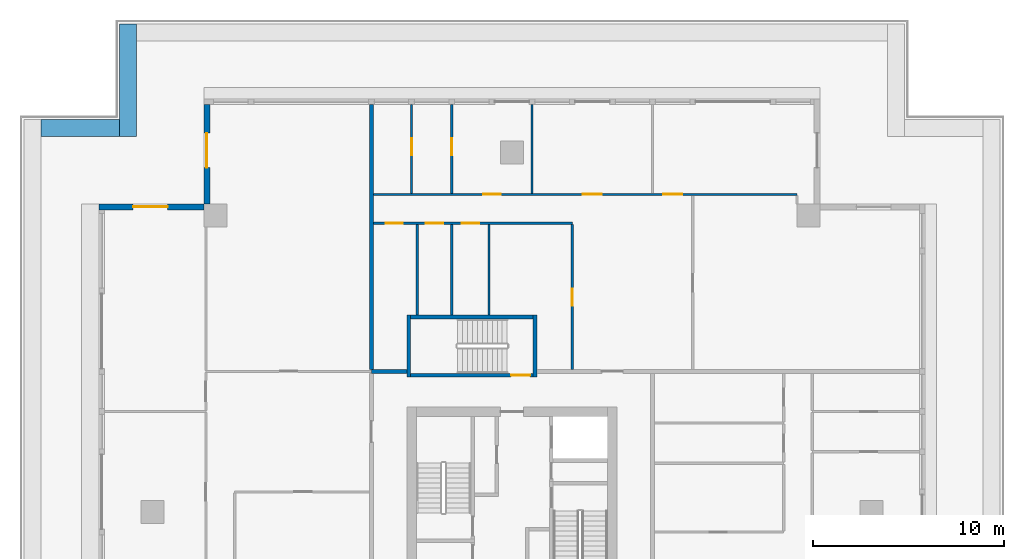
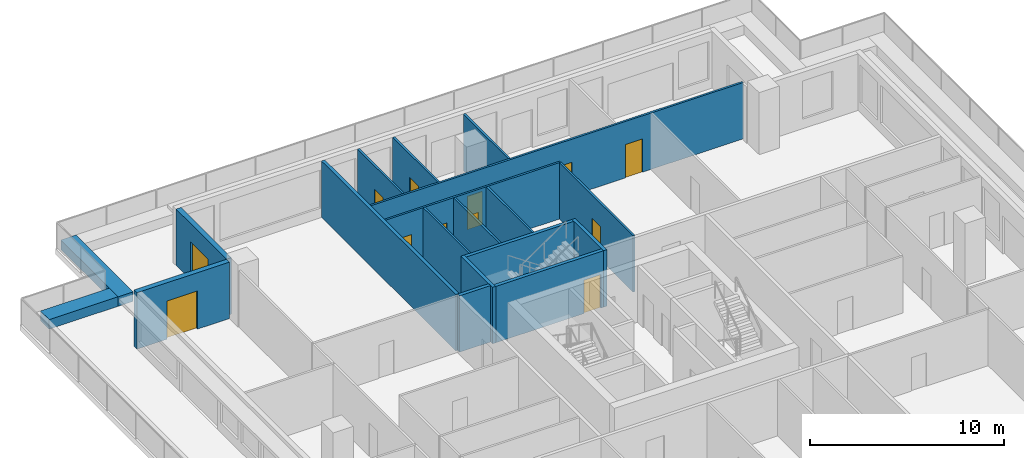
# One storey, part 5 of 11: 19 walls, 12 doors, 12 openings.
"""IFC4 building model written with IfcOpenShell, lengths in metres."""

from ifc_helpers import new_model, si_unit, direction, frame, frame_2d, origin, place, context, subcontext, project, spatial, rectangle, extrude, material, layer, layer_set, type_object, element, fill, save


model = new_model("IFC4")

# Units and contexts
model_context = context("Model", 3, precision=1e-05, world=origin(), true_north=direction((0.0, 1.0)))
body_context = subcontext(model_context, "Body", "Model", "MODEL_VIEW")
ifc_project = project(units=[si_unit("LENGTHUNIT", "METRE"), si_unit("AREAUNIT", "SQUARE_METRE"), si_unit("VOLUMEUNIT", "CUBIC_METRE"), si_unit("PLANEANGLEUNIT", "RADIAN"), si_unit("MASSUNIT", "GRAM", prefix="KILO")], contexts=[model_context])

# Site, building, storey
site_placement = place(None, origin())
site = spatial("IfcSite", under=ifc_project, at=site_placement, CompositionType="ELEMENT")
building_placement = place(site_placement, origin())
building = spatial("IfcBuilding", under=site, at=building_placement, Name="Khepri Terraces", CompositionType="ELEMENT")
storey_placement = place(building_placement, frame((0.0, 0.0, 292.800048828125)))
storey = spatial("IfcBuildingStorey", under=building, at=storey_placement, Name="L70", CompositionType="ELEMENT", Elevation=292.800048828125)

# Walls
ifc_material_1 = material(Name="Concrete C40/50", Category="concrete")
ifc_layer_1 = layer(ifc_material_1, 0.199951171875, Name="Concrete C40/50", Category="concrete")
ifc_layer_set_1 = layer_set([ifc_layer_1], Name="Concrete C40/50")
wall_type_1 = type_object("IfcWallType", Name="Core wall 200 C40/50", PredefinedType="SHEAR", material=ifc_layer_set_1)
for number, where, z_axis, x_axis, name in (
    (1, (-5.39990234375, 7.050048828125, 0.0), (0.0, 0.0, 1.0), (0.0, 1.0, 0.0), "Core wall S3W L70"),
    (2, (1.199951171875, 7.050048828125, 0.0), (0.0, 0.0, 1.0), (0.0, 1.0, 0.0), "Core wall S3E L70"),
):
    element("IfcWall", number, at=place(storey_placement, frame(where, z_axis=z_axis, x_axis=x_axis)), inside=storey, type_object=wall_type_1, Name=name, PredefinedType="SHEAR", context=body_context, shape_type="SweptSolid", body=[
        extrude(rectangle(XDim=3.25, YDim=0.199951171875, at=frame_2d((1.625, 0.0))), origin(), (0.0, 0.0, 1.0), 3.550048828125),
    ])

# Wall, opening, door
wall_1_placement = place(storey_placement, frame((-5.300048828125, 7.14990234375, 0.0), z_axis=(0.0, 0.0, 1.0), x_axis=(1.0, 0.0, 0.0)))
wall_1 = element("IfcWall", 3, at=wall_1_placement, inside=storey, type_object=wall_type_1, Name="Core wall S3S L70", PredefinedType="SHEAR", context=body_context, shape_type="SweptSolid", body=[
    extrude(rectangle(XDim=6.400146484375, YDim=0.199951171875, at=frame_2d((3.2001953125, 0.0))), origin(), (0.0, 0.0, 1.0), 3.550048828125),
])
opening_1_placement = place(wall_1_placement, frame((5.25, 0.0, 0.0)))
opening_1 = element("IfcOpeningElement", 4, at=opening_1_placement, cuts=wall_1, Name="Opening L70-C07", PredefinedType="OPENING", context=body_context, shape_type="SweptSolid", body=[
    extrude(rectangle(XDim=1.0, YDim=2.10009765625, at=frame_2d((0.5, 1.050048828125))), frame((0.0, 0.10986328125, 0.0), z_axis=(0.0, -1.0, 0.0), x_axis=(1.0, 0.0, 0.0)), (0.0, 0.0, 1.0), 0.219970703125),
])
ifc_material_2 = material(Name="Painted steel", Category="steel")
door_type_1 = type_object("IfcDoorType", Name="DR-CORE-STAIR-1000", OperationType="NOTDEFINED", PredefinedType="DOOR", material=ifc_material_2)
door_1_placement = place(opening_1_placement, origin())
door_1 = element("IfcDoor", 5, at=door_1_placement, inside=storey, type_object=door_type_1, Name="Stair door L70-C07", OperationType="SINGLE_SWING_RIGHT", OverallHeight=2.10009765625, OverallWidth=1.0, PredefinedType="DOOR", context=body_context, shape_type="SweptSolid", body=[
    extrude(rectangle(XDim=1.0, YDim=2.10009765625, at=frame_2d((0.5, 1.050048828125))), frame((0.0, 0.02490234375, 0.0), z_axis=(0.0, -1.0, 0.0), x_axis=(1.0, 0.0, 0.0)), (0.0, 0.0, 1.0), 0.050048828125),
])
fill(opening_1, door_1)

# Walls
wall_2_placement = place(storey_placement, frame((-5.300048828125, 10.199951171875, 0.0), z_axis=(0.0, 0.0, 1.0), x_axis=(1.0, 0.0, 0.0)))
element("IfcWall", 6, at=wall_2_placement, inside=storey, type_object=wall_type_1, Name="Core wall S3N L70", PredefinedType="SHEAR", context=body_context, shape_type="SweptSolid", body=[
    extrude(rectangle(XDim=6.400146484375, YDim=0.199951171875, at=frame_2d((3.2001953125, 0.0))), origin(), (0.0, 0.0, 1.0), 3.550048828125),
])
ifc_material_3 = material(Name="Fire-rated gypsum plasterboard partition, mineral wool")
ifc_layer_2 = layer(ifc_material_3, 0.199951171875, Name="Fire-rated gypsum plasterboard partition, mineral wool")
ifc_layer_set_2 = layer_set([ifc_layer_2], Name="Fire-rated gypsum plasterboard partition, mineral wool")
wall_type_2 = type_object("IfcWallType", Name="WL-CORR-200", PredefinedType="PARTITIONING", material=ifc_layer_set_2)
wall_3_placement = place(storey_placement, frame((-7.35009765625, 7.35009765625, 0.0), z_axis=(0.0, 0.0, 1.0), x_axis=(1.0, 0.0, 0.0)))
element("IfcWall", 7, at=wall_3_placement, inside=storey, type_object=wall_type_2, Name="Partition P-044 L70", PredefinedType="PARTITIONING", context=body_context, shape_type="SweptSolid", body=[
    extrude(rectangle(XDim=1.85009765625, YDim=0.199951171875, at=frame_2d((0.925048828125, 0.0))), origin(), (0.0, 0.0, 1.0), 3.550048828125),
])
wall_4_placement = place(storey_placement, frame((-7.35009765625, 7.449951171875, 0.0), z_axis=(0.0, 0.0, 1.0), x_axis=(0.0, 1.0, 0.0)))
element("IfcWall", 8, at=wall_4_placement, inside=storey, type_object=wall_type_2, Name="Partition P-047 L70", PredefinedType="PARTITIONING", context=body_context, shape_type="SweptSolid", body=[
    extrude(rectangle(XDim=13.85009765625, YDim=0.199951171875, at=frame_2d((6.925048828125, 0.0))), origin(), (0.0, 0.0, 1.0), 3.550048828125),
])

# Wall, opening, door
ifc_material_4 = material(Name="Precast concrete C50/60 warm stone", Category="masonry")
ifc_layer_3 = layer(ifc_material_4, 0.300048828125, Name="Precast concrete C50/60 warm stone", Category="masonry")
ifc_layer_set_3 = layer_set([ifc_layer_3], Name="Precast concrete C50/60 warm stone")
wall_type_3 = type_object("IfcWallType", Name="WL-EXT-PRECAST-300", PredefinedType="STANDARD", material=ifc_layer_set_3)
wall_5_placement = place(storey_placement, frame((-15.949951171875, 21.300048828125, 0.0), z_axis=(0.0, 0.0, 1.0), x_axis=(0.0, -1.0, 0.0)))
wall_5 = element("IfcWall", 9, at=wall_5_placement, inside=storey, type_object=wall_type_3, Name="External wall L70 W", PredefinedType="STANDARD", context=body_context, shape_type="SweptSolid", body=[
    extrude(rectangle(XDim=5.199951171875, YDim=0.300048828125, at=frame_2d((2.60009765625, 0.0))), origin(), (0.0, 0.0, 1.0), 3.550048828125),
])
opening_2_placement = place(wall_5_placement, frame((1.5, 0.0, 0.0)))
opening_2 = element("IfcOpeningElement", 10, at=opening_2_placement, cuts=wall_5, Name="Opening ED-L70-07", PredefinedType="OPENING", context=body_context, shape_type="SweptSolid", body=[
    extrude(rectangle(XDim=1.800048828125, YDim=2.39990234375, at=frame_2d((0.89990234375, 1.199951171875))), frame((0.0, 0.16015625, 0.0), z_axis=(0.0, -1.0, 0.0), x_axis=(1.0, 0.0, 0.0)), (0.0, 0.0, 1.0), 0.320068359375),
])
ifc_material_5 = material(Name="Anodised aluminium bronze glazed door", Category="aluminium")
door_type_2 = type_object("IfcDoorType", Name="DR-BAL-SLIDE-1800x2400", OperationType="NOTDEFINED", PredefinedType="DOOR", material=ifc_material_5)
door_2_placement = place(opening_2_placement, origin())
door_2 = element("IfcDoor", 11, at=door_2_placement, inside=storey, type_object=door_type_2, Name="Balcony door L70 W", OperationType="SLIDING_TO_RIGHT", OverallHeight=2.39990234375, OverallWidth=1.800048828125, PredefinedType="DOOR", context=body_context, shape_type="SweptSolid", body=[
    extrude(rectangle(XDim=1.800048828125, YDim=2.39990234375, at=frame_2d((0.89990234375, 1.199951171875))), frame((0.0, 0.02490234375, 0.0), z_axis=(0.0, -1.0, 0.0), x_axis=(1.0, 0.0, 0.0)), (0.0, 0.0, 1.0), 0.050048828125),
])
fill(opening_2, door_2)

wall_6_placement = place(storey_placement, frame((-16.10009765625, 15.949951171875, 0.0), z_axis=(0.0, 0.0, 1.0), x_axis=(-1.0, 0.0, 0.0)))
wall_6 = element("IfcWall", 12, at=wall_6_placement, inside=storey, type_object=wall_type_3, Name="External wall L70 N", PredefinedType="STANDARD", context=body_context, shape_type="SweptSolid", body=[
    extrude(rectangle(XDim=5.5, YDim=0.300048828125, at=frame_2d((2.75, 0.0))), origin(), (0.0, 0.0, 1.0), 3.550048828125),
])
opening_3_placement = place(wall_6_placement, frame((1.89990234375, 0.0, 0.0)))
opening_3 = element("IfcOpeningElement", 13, at=opening_3_placement, cuts=wall_6, Name="Opening ED-L70-08", PredefinedType="OPENING", context=body_context, shape_type="SweptSolid", body=[
    extrude(rectangle(XDim=1.800048828125, YDim=2.39990234375, at=frame_2d((0.89990234375, 1.199951171875))), frame((0.0, 0.16015625, 0.0), z_axis=(0.0, -1.0, 0.0), x_axis=(1.0, 0.0, 0.0)), (0.0, 0.0, 1.0), 0.320068359375),
])
door_3_placement = place(opening_3_placement, origin())
door_3 = element("IfcDoor", 14, at=door_3_placement, inside=storey, type_object=door_type_2, Name="Balcony door L70 N", OperationType="SLIDING_TO_LEFT", OverallHeight=2.39990234375, OverallWidth=1.800048828125, PredefinedType="DOOR", context=body_context, shape_type="SweptSolid", body=[
    extrude(rectangle(XDim=1.800048828125, YDim=2.39990234375, at=frame_2d((0.89990234375, 1.199951171875))), frame((0.0, 0.02490234375, 0.0), z_axis=(0.0, -1.0, 0.0), x_axis=(1.0, 0.0, 0.0)), (0.0, 0.0, 1.0), 0.050048828125),
])
fill(opening_3, door_3)

ifc_material_6 = material(Name="Gypsum plasterboard partition")
ifc_layer_4 = layer(ifc_material_6, 0.1201171875, Name="Gypsum plasterboard partition")
ifc_layer_set_4 = layer_set([ifc_layer_4], Name="Gypsum plasterboard partition")
wall_type_4 = type_object("IfcWallType", Name="WL-PART-120", PredefinedType="PARTITIONING", material=ifc_layer_set_4)
wall_7_placement = place(storey_placement, frame((3.14990234375, 7.449951171875, 0.0), z_axis=(0.0, 0.0, 1.0), x_axis=(0.0, 1.0, 0.0)))
wall_7 = element("IfcWall", 15, at=wall_7_placement, inside=storey, type_object=wall_type_4, Name="Partition P-048 L70", PredefinedType="PARTITIONING", context=body_context, shape_type="SweptSolid", body=[
    extrude(rectangle(XDim=7.590087890625, YDim=0.1201171875, at=frame_2d((3.794921875, 0.0))), origin(), (0.0, 0.0, 1.0), 3.550048828125),
])
opening_4_placement = place(wall_7_placement, frame((3.324951171875, 0.0, 0.0)))
opening_4 = element("IfcOpeningElement", 16, at=opening_4_placement, cuts=wall_7, Name="Opening D3", PredefinedType="OPENING", context=body_context, shape_type="SweptSolid", body=[
    extrude(rectangle(XDim=0.89990234375, YDim=2.10009765625, at=frame_2d((0.449951171875, 1.050048828125))), frame((0.0, 0.070068359375, 0.0), z_axis=(0.0, -1.0, 0.0), x_axis=(1.0, 0.0, 0.0)), (0.0, 0.0, 1.0), 0.14013671875),
])
ifc_material_7 = material(Name="Timber door leaf", Category="wood")
door_type_3 = type_object("IfcDoorType", Name="DR-INT-900", OperationType="NOTDEFINED", PredefinedType="DOOR", material=ifc_material_7)
door_4_placement = place(opening_4_placement, origin())
door_4 = element("IfcDoor", 17, at=door_4_placement, inside=storey, type_object=door_type_3, Name="Door Kitchen", OperationType="SINGLE_SWING_LEFT", OverallHeight=2.10009765625, OverallWidth=0.89990234375, PredefinedType="DOOR", context=body_context, shape_type="SweptSolid", body=[
    extrude(rectangle(XDim=0.89990234375, YDim=2.10009765625, at=frame_2d((0.449951171875, 1.050048828125))), frame((0.0, 0.02490234375, 0.0), z_axis=(0.0, -1.0, 0.0), x_axis=(1.0, 0.0, 0.0)), (0.0, 0.0, 1.0), 0.050048828125),
])
fill(opening_4, door_4)

# Walls
for number, where, z_axis, x_axis, name in (
    (18, (-4.949951171875, 10.300048828125, 0.0), (0.0, 0.0, 1.0), (0.0, 1.0, 0.0), "Partition P-050 L70"),
    (19, (-3.14990234375, 10.300048828125, 0.0), (0.0, 0.0, 1.0), (0.0, 1.0, 0.0), "Partition P-051 L70"),
    (20, (-1.199951171875, 10.300048828125, 0.0), (0.0, 0.0, 1.0), (0.0, 1.0, 0.0), "Partition P-052 L70"),
):
    element("IfcWall", number, at=place(storey_placement, frame(where, z_axis=z_axis, x_axis=x_axis)), inside=storey, type_object=wall_type_4, Name=name, PredefinedType="PARTITIONING", context=body_context, shape_type="SweptSolid", body=[
        extrude(rectangle(XDim=4.739990234375, YDim=0.1201171875, at=frame_2d((2.3701171875, 0.0))), origin(), (0.0, 0.0, 1.0), 3.550048828125),
    ])

# Wall, openings, doors
wall_8_placement = place(storey_placement, frame((-7.25, 15.10009765625, 0.0), z_axis=(0.0, 0.0, 1.0), x_axis=(1.0, 0.0, 0.0)))
wall_8 = element("IfcWall", 21, at=wall_8_placement, inside=storey, type_object=wall_type_4, Name="Partition P-053 L70", PredefinedType="PARTITIONING", context=body_context, shape_type="SweptSolid", body=[
    extrude(rectangle(XDim=10.39990234375, YDim=0.1201171875, at=frame_2d((5.199951171875, 0.0))), origin(), (0.0, 0.0, 1.0), 3.550048828125),
])
opening_5_placement = place(wall_8_placement, frame((4.625, 0.0, 0.0)))
opening_5 = element("IfcOpeningElement", 22, at=opening_5_placement, cuts=wall_8, Name="Opening D3", PredefinedType="OPENING", context=body_context, shape_type="SweptSolid", body=[
    extrude(rectangle(XDim=0.89990234375, YDim=2.10009765625, at=frame_2d((0.449951171875, 1.050048828125))), frame((0.0, 0.070068359375, 0.0), z_axis=(0.0, -1.0, 0.0), x_axis=(1.0, 0.0, 0.0)), (0.0, 0.0, 1.0), 0.14013671875),
])
opening_6_placement = place(wall_8_placement, frame((2.75, 0.0, 0.0)))
opening_6 = element("IfcOpeningElement", 23, at=opening_6_placement, cuts=wall_8, Name="Opening D4", PredefinedType="OPENING", context=body_context, shape_type="SweptSolid", body=[
    extrude(rectangle(XDim=0.89990234375, YDim=2.10009765625, at=frame_2d((0.449951171875, 1.050048828125))), frame((0.0, 0.070068359375, 0.0), z_axis=(0.0, -1.0, 0.0), x_axis=(1.0, 0.0, 0.0)), (0.0, 0.0, 1.0), 0.14013671875),
])
opening_7_placement = place(wall_8_placement, frame((0.64990234375, 0.0, 0.0)))
opening_7 = element("IfcOpeningElement", 24, at=opening_7_placement, cuts=wall_8, Name="Opening D4", PredefinedType="OPENING", context=body_context, shape_type="SweptSolid", body=[
    extrude(rectangle(XDim=0.89990234375, YDim=2.10009765625, at=frame_2d((0.449951171875, 1.050048828125))), frame((0.0, 0.070068359375, 0.0), z_axis=(0.0, -1.0, 0.0), x_axis=(1.0, 0.0, 0.0)), (0.0, 0.0, 1.0), 0.14013671875),
])
door_5_placement = place(opening_5_placement, frame((0.89990234375, 0.0, 0.0), z_axis=(0.0, 0.0, 1.0), x_axis=(-1.0, 0.0, 0.0)))
door_5 = element("IfcDoor", 25, at=door_5_placement, inside=storey, type_object=door_type_3, Name="Door Utility Room", OperationType="SINGLE_SWING_RIGHT", OverallHeight=2.10009765625, OverallWidth=0.89990234375, PredefinedType="DOOR", context=body_context, shape_type="SweptSolid", body=[
    extrude(rectangle(XDim=0.89990234375, YDim=2.10009765625, at=frame_2d((0.449951171875, 1.050048828125))), frame((0.0, 0.02490234375, 0.0), z_axis=(0.0, -1.0, 0.0), x_axis=(1.0, 0.0, 0.0)), (0.0, 0.0, 1.0), 0.050048828125),
])
fill(opening_5, door_5)
ifc_material_8 = material(Name="Timber door leaf, moisture resistant", Category="wood")
door_type_4 = type_object("IfcDoorType", Name="DR-WET-900", OperationType="NOTDEFINED", PredefinedType="DOOR", material=ifc_material_8)
door_6_placement = place(opening_6_placement, frame((0.89990234375, 0.0, 0.0), z_axis=(0.0, 0.0, 1.0), x_axis=(-1.0, 0.0, 0.0)))
door_6 = element("IfcDoor", 26, at=door_6_placement, inside=storey, type_object=door_type_4, Name="Door Powder Room", OperationType="SINGLE_SWING_RIGHT", OverallHeight=2.10009765625, OverallWidth=0.89990234375, PredefinedType="DOOR", context=body_context, shape_type="SweptSolid", body=[
    extrude(rectangle(XDim=0.89990234375, YDim=2.10009765625, at=frame_2d((0.449951171875, 1.050048828125))), frame((0.0, 0.02490234375, 0.0), z_axis=(0.0, -1.0, 0.0), x_axis=(1.0, 0.0, 0.0)), (0.0, 0.0, 1.0), 0.050048828125),
])
fill(opening_6, door_6)
door_7_placement = place(opening_7_placement, frame((0.89990234375, 0.0, 0.0), z_axis=(0.0, 0.0, 1.0), x_axis=(-1.0, 0.0, 0.0)))
door_7 = element("IfcDoor", 27, at=door_7_placement, inside=storey, type_object=door_type_4, Name="Door Guest Bathroom", OperationType="SINGLE_SWING_RIGHT", OverallHeight=2.10009765625, OverallWidth=0.89990234375, PredefinedType="DOOR", context=body_context, shape_type="SweptSolid", body=[
    extrude(rectangle(XDim=0.89990234375, YDim=2.10009765625, at=frame_2d((0.449951171875, 1.050048828125))), frame((0.0, 0.02490234375, 0.0), z_axis=(0.0, -1.0, 0.0), x_axis=(1.0, 0.0, 0.0)), (0.0, 0.0, 1.0), 0.050048828125),
])
fill(opening_7, door_7)

wall_9_placement = place(storey_placement, frame((-7.25, 16.60009765625, 0.0), z_axis=(0.0, 0.0, 1.0), x_axis=(1.0, 0.0, 0.0)))
wall_9 = element("IfcWall", 28, at=wall_9_placement, inside=storey, type_object=wall_type_4, Name="Partition P-055 L70", PredefinedType="PARTITIONING", context=body_context, shape_type="SweptSolid", body=[
    extrude(rectangle(XDim=22.14892578125, YDim=0.1201171875, at=frame_2d((11.074462890625, 0.0))), origin(), (0.0, 0.0, 1.0), 3.550048828125),
])
opening_8_placement = place(wall_9_placement, frame((15.14990234375, 0.0, 0.0)))
opening_8 = element("IfcOpeningElement", 29, at=opening_8_placement, cuts=wall_9, Name="Opening D2", PredefinedType="OPENING", context=body_context, shape_type="SweptSolid", body=[
    extrude(rectangle(XDim=1.0, YDim=2.10009765625, at=frame_2d((0.5, 1.050048828125))), frame((0.0, 0.070068359375, 0.0), z_axis=(0.0, -1.0, 0.0), x_axis=(1.0, 0.0, 0.0)), (0.0, 0.0, 1.0), 0.14013671875),
])
opening_9_placement = place(wall_9_placement, frame((10.949951171875, 0.0, 0.0)))
opening_9 = element("IfcOpeningElement", 30, at=opening_9_placement, cuts=wall_9, Name="Opening D2", PredefinedType="OPENING", context=body_context, shape_type="SweptSolid", body=[
    extrude(rectangle(XDim=1.0, YDim=2.10009765625, at=frame_2d((0.5, 1.050048828125))), frame((0.0, 0.070068359375, 0.0), z_axis=(0.0, -1.0, 0.0), x_axis=(1.0, 0.0, 0.0)), (0.0, 0.0, 1.0), 0.14013671875),
])
opening_10_placement = place(wall_9_placement, frame((5.75, 0.0, 0.0)))
opening_10 = element("IfcOpeningElement", 31, at=opening_10_placement, cuts=wall_9, Name="Opening D3", PredefinedType="OPENING", context=body_context, shape_type="SweptSolid", body=[
    extrude(rectangle(XDim=0.89990234375, YDim=2.10009765625, at=frame_2d((0.449951171875, 1.050048828125))), frame((0.0, 0.070068359375, 0.0), z_axis=(0.0, -1.0, 0.0), x_axis=(1.0, 0.0, 0.0)), (0.0, 0.0, 1.0), 0.14013671875),
])
ifc_material_9 = material(Name="Timber door leaf, living room door", Category="wood")
door_type_5 = type_object("IfcDoorType", Name="DR-INT-1000", OperationType="NOTDEFINED", PredefinedType="DOOR", material=ifc_material_9)
door_8_placement = place(opening_8_placement, origin())
door_8 = element("IfcDoor", 32, at=door_8_placement, inside=storey, type_object=door_type_5, Name="Door Sun Lounge", OperationType="SINGLE_SWING_RIGHT", OverallHeight=2.10009765625, OverallWidth=1.0, PredefinedType="DOOR", context=body_context, shape_type="SweptSolid", body=[
    extrude(rectangle(XDim=1.0, YDim=2.10009765625, at=frame_2d((0.5, 1.050048828125))), frame((0.0, 0.02490234375, 0.0), z_axis=(0.0, -1.0, 0.0), x_axis=(1.0, 0.0, 0.0)), (0.0, 0.0, 1.0), 0.050048828125),
])
fill(opening_8, door_8)
door_9_placement = place(opening_9_placement, origin())
door_9 = element("IfcDoor", 33, at=door_9_placement, inside=storey, type_object=door_type_5, Name="Door Living Room", OperationType="SINGLE_SWING_RIGHT", OverallHeight=2.10009765625, OverallWidth=1.0, PredefinedType="DOOR", context=body_context, shape_type="SweptSolid", body=[
    extrude(rectangle(XDim=1.0, YDim=2.10009765625, at=frame_2d((0.5, 1.050048828125))), frame((0.0, 0.02490234375, 0.0), z_axis=(0.0, -1.0, 0.0), x_axis=(1.0, 0.0, 0.0)), (0.0, 0.0, 1.0), 0.050048828125),
])
fill(opening_9, door_9)
door_10_placement = place(opening_10_placement, origin())
door_10 = element("IfcDoor", 34, at=door_10_placement, inside=storey, type_object=door_type_3, Name="Door Master Bedroom", OperationType="SINGLE_SWING_LEFT", OverallHeight=2.10009765625, OverallWidth=0.89990234375, PredefinedType="DOOR", context=body_context, shape_type="SweptSolid", body=[
    extrude(rectangle(XDim=0.89990234375, YDim=2.10009765625, at=frame_2d((0.449951171875, 1.050048828125))), frame((0.0, 0.02490234375, 0.0), z_axis=(0.0, -1.0, 0.0), x_axis=(1.0, 0.0, 0.0)), (0.0, 0.0, 1.0), 0.050048828125),
])
fill(opening_10, door_10)

# Wall, opening, door
wall_10_placement = place(storey_placement, frame((-5.25, 16.659912109375, 0.0), z_axis=(0.0, 0.0, 1.0), x_axis=(0.0, 1.0, 0.0)))
wall_10 = element("IfcWall", 35, at=wall_10_placement, inside=storey, type_object=wall_type_4, Name="Partition P-056 L70", PredefinedType="PARTITIONING", context=body_context, shape_type="SweptSolid", body=[
    extrude(rectangle(XDim=4.64013671875, YDim=0.1201171875, at=frame_2d((2.320068359375, 0.0))), origin(), (0.0, 0.0, 1.0), 3.550048828125),
])
opening_11_placement = place(wall_10_placement, frame((1.989990234375, 0.0, 0.0)))
opening_11 = element("IfcOpeningElement", 36, at=opening_11_placement, cuts=wall_10, Name="Opening D4", PredefinedType="OPENING", context=body_context, shape_type="SweptSolid", body=[
    extrude(rectangle(XDim=0.89990234375, YDim=2.10009765625, at=frame_2d((0.449951171875, 1.050048828125))), frame((0.0, 0.070068359375, 0.0), z_axis=(0.0, -1.0, 0.0), x_axis=(1.0, 0.0, 0.0)), (0.0, 0.0, 1.0), 0.14013671875),
])
door_11_placement = place(opening_11_placement, origin())
door_11 = element("IfcDoor", 37, at=door_11_placement, inside=storey, type_object=door_type_4, Name="Door Bathroom", OperationType="SINGLE_SWING_RIGHT", OverallHeight=2.10009765625, OverallWidth=0.89990234375, PredefinedType="DOOR", context=body_context, shape_type="SweptSolid", body=[
    extrude(rectangle(XDim=0.89990234375, YDim=2.10009765625, at=frame_2d((0.449951171875, 1.050048828125))), frame((0.0, 0.02490234375, 0.0), z_axis=(0.0, -1.0, 0.0), x_axis=(1.0, 0.0, 0.0)), (0.0, 0.0, 1.0), 0.050048828125),
])
fill(opening_11, door_11)

wall_11_placement = place(storey_placement, frame((-3.14990234375, 16.659912109375, 0.0), z_axis=(0.0, 0.0, 1.0), x_axis=(0.0, 1.0, 0.0)))
wall_11 = element("IfcWall", 38, at=wall_11_placement, inside=storey, type_object=wall_type_4, Name="Partition P-057 L70", PredefinedType="PARTITIONING", context=body_context, shape_type="SweptSolid", body=[
    extrude(rectangle(XDim=4.64013671875, YDim=0.1201171875, at=frame_2d((2.320068359375, 0.0))), origin(), (0.0, 0.0, 1.0), 3.550048828125),
])
opening_12_placement = place(wall_11_placement, frame((1.989990234375, 0.0, 0.0)))
opening_12 = element("IfcOpeningElement", 39, at=opening_12_placement, cuts=wall_11, Name="Opening D3", PredefinedType="OPENING", context=body_context, shape_type="SweptSolid", body=[
    extrude(rectangle(XDim=0.89990234375, YDim=2.10009765625, at=frame_2d((0.449951171875, 1.050048828125))), frame((0.0, 0.070068359375, 0.0), z_axis=(0.0, -1.0, 0.0), x_axis=(1.0, 0.0, 0.0)), (0.0, 0.0, 1.0), 0.14013671875),
])
door_12_placement = place(opening_12_placement, origin())
door_12 = element("IfcDoor", 40, at=door_12_placement, inside=storey, type_object=door_type_3, Name="Door Dressing Room", OperationType="SINGLE_SWING_RIGHT", OverallHeight=2.10009765625, OverallWidth=0.89990234375, PredefinedType="DOOR", context=body_context, shape_type="SweptSolid", body=[
    extrude(rectangle(XDim=0.89990234375, YDim=2.10009765625, at=frame_2d((0.449951171875, 1.050048828125))), frame((0.0, 0.02490234375, 0.0), z_axis=(0.0, -1.0, 0.0), x_axis=(1.0, 0.0, 0.0)), (0.0, 0.0, 1.0), 0.050048828125),
])
fill(opening_12, door_12)

# Walls
wall_12_placement = place(storey_placement, frame((1.050048828125, 16.659912109375, 0.0), z_axis=(0.0, 0.0, 1.0), x_axis=(0.0, 1.0, 0.0)))
element("IfcWall", 41, at=wall_12_placement, inside=storey, type_object=wall_type_4, Name="Partition P-058 L70", PredefinedType="PARTITIONING", context=body_context, shape_type="SweptSolid", body=[
    extrude(rectangle(XDim=4.64013671875, YDim=0.1201171875, at=frame_2d((2.320068359375, 0.0))), origin(), (0.0, 0.0, 1.0), 3.550048828125),
])
ifc_layer_5 = layer(ifc_material_4, 0.89990234375, Name="Precast concrete C50/60 warm stone", Category="masonry")
ifc_layer_set_5 = layer_set([ifc_layer_5], Name="Precast concrete C50/60 warm stone")
wall_type_5 = type_object("IfcWallType", Name="WL-PLANTER-900", PredefinedType="MOVABLE", material=ifc_layer_set_5)
wall_13_placement = place(storey_placement, frame((-24.6201171875, 20.070068359375, 0.0), z_axis=(0.0, 0.0, 1.0), x_axis=(1.0, 0.0, 0.0)))
element("IfcWall", 42, at=wall_13_placement, inside=storey, type_object=wall_type_5, Name="Planter L70", PredefinedType="MOVABLE", context=body_context, shape_type="SweptSolid", body=[
    extrude(rectangle(XDim=4.10009765625, YDim=0.89990234375, at=frame_2d((2.050048828125, 0.0))), origin(), (0.0, 0.0, 1.0), 0.599853515625),
])
wall_14_placement = place(storey_placement, frame((-20.070068359375, 19.6201171875, 0.0), z_axis=(0.0, 0.0, 1.0), x_axis=(0.0, 1.0, 0.0)))
element("IfcWall", 43, at=wall_14_placement, inside=storey, type_object=wall_type_5, Name="Planter L70", PredefinedType="MOVABLE", context=body_context, shape_type="SweptSolid", body=[
    extrude(rectangle(XDim=5.89990234375, YDim=0.89990234375, at=frame_2d((2.949951171875, 0.0))), origin(), (0.0, 0.0, 1.0), 0.599853515625),
])

save(model, "model.ifc")
